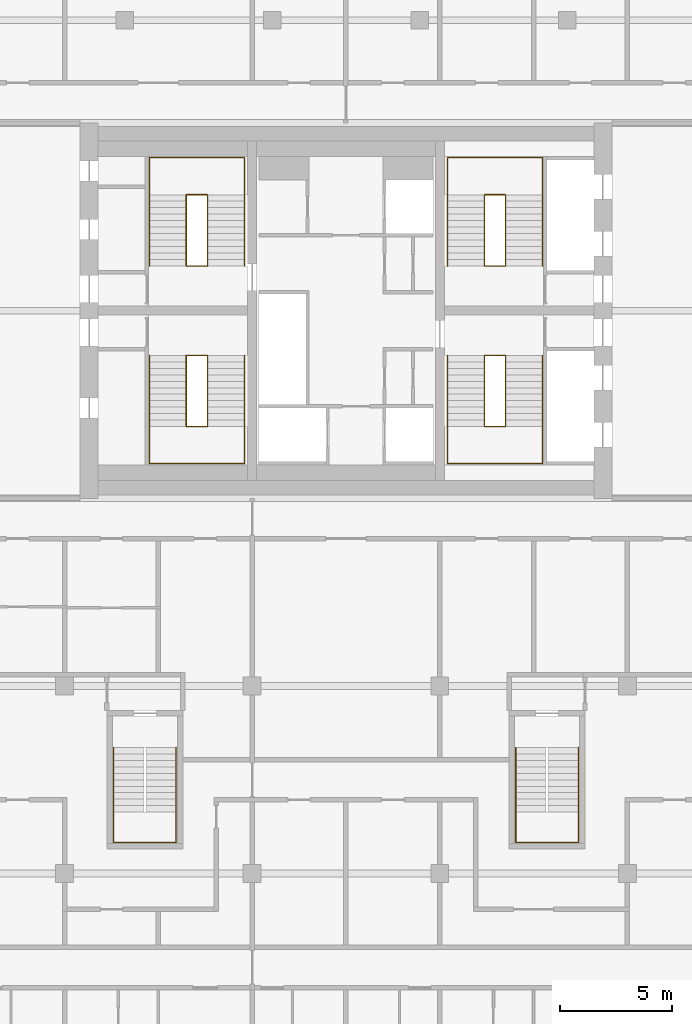
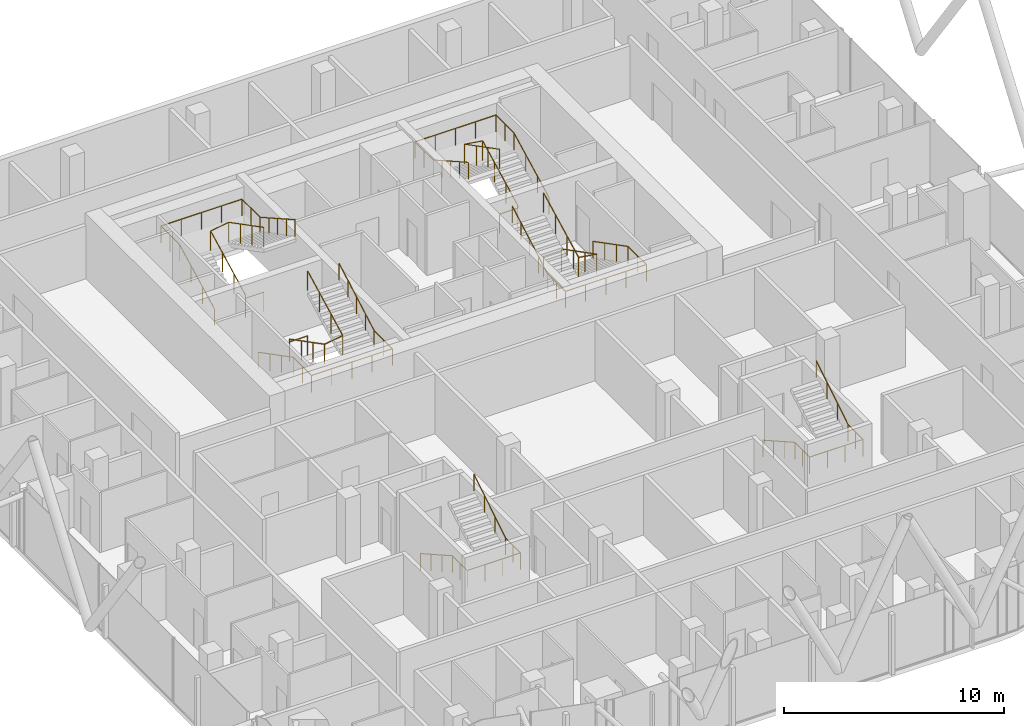
# One storey, part 31 of 31: 10 railings.
"""IFC4 building model written with IfcOpenShell, lengths in metres."""

from ifc_helpers import new_model, si_unit, direction, frame, origin, origin_2d, place, context, subcontext, project, spatial, circle, extrude, material, type_object, element, save


model = new_model("IFC4")

# Units and contexts
model_context = context("Model", 3, precision=1e-05, world=origin(), true_north=direction((0.0, 1.0)))
body_context = subcontext(model_context, "Body", "Model", "MODEL_VIEW")
ifc_project = project(units=[si_unit("LENGTHUNIT", "METRE"), si_unit("AREAUNIT", "SQUARE_METRE"), si_unit("VOLUMEUNIT", "CUBIC_METRE"), si_unit("PLANEANGLEUNIT", "RADIAN"), si_unit("MASSUNIT", "GRAM", prefix="KILO")], contexts=[model_context])

# Site, building, storey
site_placement = place(None, origin())
site = spatial("IfcSite", under=ifc_project, at=site_placement, CompositionType="ELEMENT")
building_placement = place(site_placement, origin())
building = spatial("IfcBuilding", under=site, at=building_placement, Name="Marenta Gate Hotel Tower", CompositionType="ELEMENT")
storey_placement = place(building_placement, frame((0.0, 0.0, 234.5)))
storey = spatial("IfcBuildingStorey", under=building, at=storey_placement, Name="L55", CompositionType="ELEMENT", Elevation=234.5)

# Railings
ifc_material_1 = material(Name="Stainless steel", Category="steel")
railing_type_1 = type_object("IfcRailingType", Name="Core stair handrail 950", PredefinedType="HANDRAIL", material=ifc_material_1)
railing_1_placement = place(storey_placement, frame((-8.800048828125, 6.39990234375, 0.14990234375)))
element("IfcRailing", 1, at=railing_1_placement, inside=storey, type_object=railing_type_1, Name="HR-950 L55-KR-ST1-1", PredefinedType="HANDRAIL", context=body_context, shape_type="SweptSolid", body=[
    extrude(circle(Radius=0.02392578125, at=origin_2d()), frame((0.0, 0.0, 0.92578125), z_axis=(0.0, -0.888197555067, 0.459461753765), x_axis=(1.0, 0.0, 0.0)), (0.0, 0.0, 1.0), 3.591552734375),
    extrude(circle(Radius=0.02392578125, at=origin_2d()), frame((0.0, -3.18994140625, 2.576171875), z_axis=(0.0, -1.0, 0.0), x_axis=(1.0, 0.0, 0.0)), (0.0, 0.0, 1.0), 1.659912109375),
    extrude(circle(Radius=0.02392578125, at=origin_2d()), frame((0.0, -4.849853515625, 2.576171875), z_axis=(1.0, 0.0, 0.0), x_axis=(0.0, 1.0, 0.0)), (0.0, 0.0, 1.0), 4.25),
    extrude(circle(Radius=0.02392578125, at=origin_2d()), frame((4.25, -4.849853515625, 2.576171875), z_axis=(0.0, 1.0, 0.0), x_axis=(-1.0, 0.0, 0.0)), (0.0, 0.0, 1.0), 1.659912109375),
    extrude(circle(Radius=0.02392578125, at=origin_2d()), frame((4.25, -3.18994140625, 2.576171875), z_axis=(0.0, 0.87090897868, 0.491444351738), x_axis=(-1.0, 0.0, 0.0)), (0.0, 0.0, 1.0), 3.662841796875),
    extrude(circle(Radius=0.02099609375, at=origin_2d()), origin(), (0.0, 0.0, 1.0), 0.90185546875),
    extrude(circle(Radius=0.02099609375, at=origin_2d()), frame((0.0, -1.063232421875, 0.550048828125)), (0.0, 0.0, 1.0), 0.90185546875),
    extrude(circle(Radius=0.02099609375, at=origin_2d()), frame((0.0, -2.126708984375, 1.10009765625)), (0.0, 0.0, 1.0), 0.90185546875),
    extrude(circle(Radius=0.02099609375, at=origin_2d()), frame((0.0, -3.18994140625, 1.650146484375)), (0.0, 0.0, 1.0), 0.90185546875),
    extrude(circle(Radius=0.02099609375, at=origin_2d()), frame((0.0, -4.02001953125, 1.650146484375)), (0.0, 0.0, 1.0), 0.90185546875),
    extrude(circle(Radius=0.02099609375, at=origin_2d()), frame((0.0, -4.849853515625, 1.650146484375)), (0.0, 0.0, 1.0), 0.90185546875),
    extrude(circle(Radius=0.02099609375, at=origin_2d()), frame((1.0625, -4.849853515625, 1.650146484375)), (0.0, 0.0, 1.0), 0.90185546875),
    extrude(circle(Radius=0.02099609375, at=origin_2d()), frame((2.125, -4.849853515625, 1.650146484375)), (0.0, 0.0, 1.0), 0.90185546875),
    extrude(circle(Radius=0.02099609375, at=origin_2d()), frame((3.1875, -4.849853515625, 1.650146484375)), (0.0, 0.0, 1.0), 0.90185546875),
    extrude(circle(Radius=0.02099609375, at=origin_2d()), frame((4.25, -4.849853515625, 1.650146484375)), (0.0, 0.0, 1.0), 0.90185546875),
    extrude(circle(Radius=0.02099609375, at=origin_2d()), frame((4.25, -4.02001953125, 1.650146484375)), (0.0, 0.0, 1.0), 0.90185546875),
    extrude(circle(Radius=0.02099609375, at=origin_2d()), frame((4.25, -3.18994140625, 1.650146484375)), (0.0, 0.0, 1.0), 0.90185546875),
    extrude(circle(Radius=0.02099609375, at=origin_2d()), frame((4.25, -2.392578125, 2.10009765625)), (0.0, 0.0, 1.0), 0.90185546875),
    extrude(circle(Radius=0.02099609375, at=origin_2d()), frame((4.25, -1.594970703125, 2.55029296875)), (0.0, 0.0, 1.0), 0.90185546875),
    extrude(circle(Radius=0.02099609375, at=origin_2d()), frame((4.25, -0.79736328125, 3.000244140625)), (0.0, 0.0, 1.0), 0.90185546875),
    extrude(circle(Radius=0.02099609375, at=origin_2d()), frame((4.25, 0.0, 3.4501953125)), (0.0, 0.0, 1.0), 0.90185546875),
])
railing_2_placement = place(storey_placement, frame((-8.800048828125, 10.39990234375, 0.14990234375)))
element("IfcRailing", 2, at=railing_2_placement, inside=storey, type_object=railing_type_1, Name="HR-950 L55-KR-ST2-1", PredefinedType="HANDRAIL", context=body_context, shape_type="SweptSolid", body=[
    extrude(circle(Radius=0.02392578125, at=origin_2d()), frame((0.0, 0.0, 0.92578125), z_axis=(0.0, 0.888211904222, 0.459434013977), x_axis=(-1.0, 0.0, 0.0)), (0.0, 0.0, 1.0), 3.591796875),
    extrude(circle(Radius=0.02392578125, at=origin_2d()), frame((0.0, 3.190185546875, 2.576171875), z_axis=(0.0, 1.0, 0.0), x_axis=(-1.0, 0.0, 0.0)), (0.0, 0.0, 1.0), 1.659912109375),
    extrude(circle(Radius=0.02392578125, at=origin_2d()), frame((0.0, 4.85009765625, 2.576171875), z_axis=(1.0, 0.0, 0.0), x_axis=(0.0, 1.0, 0.0)), (0.0, 0.0, 1.0), 4.25),
    extrude(circle(Radius=0.02392578125, at=origin_2d()), frame((4.25, 4.85009765625, 2.576171875), z_axis=(0.0, -1.0, 0.0), x_axis=(1.0, 0.0, 0.0)), (0.0, 0.0, 1.0), 1.659912109375),
    extrude(circle(Radius=0.02392578125, at=origin_2d()), frame((4.25, 3.190185546875, 2.576171875), z_axis=(0.0, -0.870925075533, 0.491415824742), x_axis=(1.0, 0.0, 0.0)), (0.0, 0.0, 1.0), 3.6630859375),
    extrude(circle(Radius=0.02099609375, at=origin_2d()), origin(), (0.0, 0.0, 1.0), 0.90185546875),
    extrude(circle(Radius=0.02099609375, at=origin_2d()), frame((0.0, 1.0634765625, 0.550048828125)), (0.0, 0.0, 1.0), 0.90185546875),
    extrude(circle(Radius=0.02099609375, at=origin_2d()), frame((0.0, 2.126708984375, 1.10009765625)), (0.0, 0.0, 1.0), 0.90185546875),
    extrude(circle(Radius=0.02099609375, at=origin_2d()), frame((0.0, 3.190185546875, 1.650146484375)), (0.0, 0.0, 1.0), 0.90185546875),
    extrude(circle(Radius=0.02099609375, at=origin_2d()), frame((0.0, 4.02001953125, 1.650146484375)), (0.0, 0.0, 1.0), 0.90185546875),
    extrude(circle(Radius=0.02099609375, at=origin_2d()), frame((0.0, 4.85009765625, 1.650146484375)), (0.0, 0.0, 1.0), 0.90185546875),
    extrude(circle(Radius=0.02099609375, at=origin_2d()), frame((1.0625, 4.85009765625, 1.650146484375)), (0.0, 0.0, 1.0), 0.90185546875),
    extrude(circle(Radius=0.02099609375, at=origin_2d()), frame((2.125, 4.85009765625, 1.650146484375)), (0.0, 0.0, 1.0), 0.90185546875),
    extrude(circle(Radius=0.02099609375, at=origin_2d()), frame((3.1875, 4.85009765625, 1.650146484375)), (0.0, 0.0, 1.0), 0.90185546875),
    extrude(circle(Radius=0.02099609375, at=origin_2d()), frame((4.25, 4.85009765625, 1.650146484375)), (0.0, 0.0, 1.0), 0.90185546875),
    extrude(circle(Radius=0.02099609375, at=origin_2d()), frame((4.25, 4.02001953125, 1.650146484375)), (0.0, 0.0, 1.0), 0.90185546875),
    extrude(circle(Radius=0.02099609375, at=origin_2d()), frame((4.25, 3.190185546875, 1.650146484375)), (0.0, 0.0, 1.0), 0.90185546875),
    extrude(circle(Radius=0.02099609375, at=origin_2d()), frame((4.25, 2.392578125, 2.10009765625)), (0.0, 0.0, 1.0), 0.90185546875),
    extrude(circle(Radius=0.02099609375, at=origin_2d()), frame((4.25, 1.59521484375, 2.55029296875)), (0.0, 0.0, 1.0), 0.90185546875),
    extrude(circle(Radius=0.02099609375, at=origin_2d()), frame((4.25, 0.797607421875, 3.000244140625)), (0.0, 0.0, 1.0), 0.90185546875),
    extrude(circle(Radius=0.02099609375, at=origin_2d()), frame((4.25, 0.0, 3.4501953125)), (0.0, 0.0, 1.0), 0.90185546875),
])
railing_3_placement = place(storey_placement, frame((8.800048828125, 6.39990234375, 0.14990234375)))
element("IfcRailing", 3, at=railing_3_placement, inside=storey, type_object=railing_type_1, Name="HR-950 L55-KR-ST3-1", PredefinedType="HANDRAIL", context=body_context, shape_type="SweptSolid", body=[
    extrude(circle(Radius=0.02392578125, at=origin_2d()), frame((0.0, 0.0, 0.92578125), z_axis=(0.0, -0.888197555067, 0.459461753765), x_axis=(1.0, 0.0, 0.0)), (0.0, 0.0, 1.0), 3.591552734375),
    extrude(circle(Radius=0.02392578125, at=origin_2d()), frame((0.0, -3.18994140625, 2.576171875), z_axis=(0.0, -1.0, 0.0), x_axis=(1.0, 0.0, 0.0)), (0.0, 0.0, 1.0), 1.659912109375),
    extrude(circle(Radius=0.02392578125, at=origin_2d()), frame((0.0, -4.849853515625, 2.576171875), z_axis=(-1.0, 0.0, 0.0), x_axis=(0.0, -1.0, 0.0)), (0.0, 0.0, 1.0), 4.25),
    extrude(circle(Radius=0.02392578125, at=origin_2d()), frame((-4.25, -4.849853515625, 2.576171875), z_axis=(0.0, 1.0, 0.0), x_axis=(-1.0, 0.0, 0.0)), (0.0, 0.0, 1.0), 1.659912109375),
    extrude(circle(Radius=0.02392578125, at=origin_2d()), frame((-4.25, -3.18994140625, 2.576171875), z_axis=(0.0, 0.87090897868, 0.491444351738), x_axis=(-1.0, 0.0, 0.0)), (0.0, 0.0, 1.0), 3.662841796875),
    extrude(circle(Radius=0.02099609375, at=origin_2d()), origin(), (0.0, 0.0, 1.0), 0.90185546875),
    extrude(circle(Radius=0.02099609375, at=origin_2d()), frame((0.0, -1.063232421875, 0.550048828125)), (0.0, 0.0, 1.0), 0.90185546875),
    extrude(circle(Radius=0.02099609375, at=origin_2d()), frame((0.0, -2.126708984375, 1.10009765625)), (0.0, 0.0, 1.0), 0.90185546875),
    extrude(circle(Radius=0.02099609375, at=origin_2d()), frame((0.0, -3.18994140625, 1.650146484375)), (0.0, 0.0, 1.0), 0.90185546875),
    extrude(circle(Radius=0.02099609375, at=origin_2d()), frame((0.0, -4.02001953125, 1.650146484375)), (0.0, 0.0, 1.0), 0.90185546875),
    extrude(circle(Radius=0.02099609375, at=origin_2d()), frame((0.0, -4.849853515625, 1.650146484375)), (0.0, 0.0, 1.0), 0.90185546875),
    extrude(circle(Radius=0.02099609375, at=origin_2d()), frame((-1.0625, -4.849853515625, 1.650146484375)), (0.0, 0.0, 1.0), 0.90185546875),
    extrude(circle(Radius=0.02099609375, at=origin_2d()), frame((-2.125, -4.849853515625, 1.650146484375)), (0.0, 0.0, 1.0), 0.90185546875),
    extrude(circle(Radius=0.02099609375, at=origin_2d()), frame((-3.1875, -4.849853515625, 1.650146484375)), (0.0, 0.0, 1.0), 0.90185546875),
    extrude(circle(Radius=0.02099609375, at=origin_2d()), frame((-4.25, -4.849853515625, 1.650146484375)), (0.0, 0.0, 1.0), 0.90185546875),
    extrude(circle(Radius=0.02099609375, at=origin_2d()), frame((-4.25, -4.02001953125, 1.650146484375)), (0.0, 0.0, 1.0), 0.90185546875),
    extrude(circle(Radius=0.02099609375, at=origin_2d()), frame((-4.25, -3.18994140625, 1.650146484375)), (0.0, 0.0, 1.0), 0.90185546875),
    extrude(circle(Radius=0.02099609375, at=origin_2d()), frame((-4.25, -2.392578125, 2.10009765625)), (0.0, 0.0, 1.0), 0.90185546875),
    extrude(circle(Radius=0.02099609375, at=origin_2d()), frame((-4.25, -1.594970703125, 2.55029296875)), (0.0, 0.0, 1.0), 0.90185546875),
    extrude(circle(Radius=0.02099609375, at=origin_2d()), frame((-4.25, -0.79736328125, 3.000244140625)), (0.0, 0.0, 1.0), 0.90185546875),
    extrude(circle(Radius=0.02099609375, at=origin_2d()), frame((-4.25, 0.0, 3.4501953125)), (0.0, 0.0, 1.0), 0.90185546875),
])
railing_4_placement = place(storey_placement, frame((8.800048828125, 10.39990234375, 0.14990234375)))
element("IfcRailing", 4, at=railing_4_placement, inside=storey, type_object=railing_type_1, Name="HR-950 L55-KR-ST4-1", PredefinedType="HANDRAIL", context=body_context, shape_type="SweptSolid", body=[
    extrude(circle(Radius=0.02392578125, at=origin_2d()), frame((0.0, 0.0, 0.92578125), z_axis=(0.0, 0.888211904222, 0.459434013977), x_axis=(-1.0, 0.0, 0.0)), (0.0, 0.0, 1.0), 3.591796875),
    extrude(circle(Radius=0.02392578125, at=origin_2d()), frame((0.0, 3.190185546875, 2.576171875), z_axis=(0.0, 1.0, 0.0), x_axis=(-1.0, 0.0, 0.0)), (0.0, 0.0, 1.0), 1.659912109375),
    extrude(circle(Radius=0.02392578125, at=origin_2d()), frame((0.0, 4.85009765625, 2.576171875), z_axis=(-1.0, 0.0, 0.0), x_axis=(0.0, -1.0, 0.0)), (0.0, 0.0, 1.0), 4.25),
    extrude(circle(Radius=0.02392578125, at=origin_2d()), frame((-4.25, 4.85009765625, 2.576171875), z_axis=(0.0, -1.0, 0.0), x_axis=(1.0, 0.0, 0.0)), (0.0, 0.0, 1.0), 1.659912109375),
    extrude(circle(Radius=0.02392578125, at=origin_2d()), frame((-4.25, 3.190185546875, 2.576171875), z_axis=(0.0, -0.870925075533, 0.491415824742), x_axis=(1.0, 0.0, 0.0)), (0.0, 0.0, 1.0), 3.6630859375),
    extrude(circle(Radius=0.02099609375, at=origin_2d()), origin(), (0.0, 0.0, 1.0), 0.90185546875),
    extrude(circle(Radius=0.02099609375, at=origin_2d()), frame((0.0, 1.0634765625, 0.550048828125)), (0.0, 0.0, 1.0), 0.90185546875),
    extrude(circle(Radius=0.02099609375, at=origin_2d()), frame((0.0, 2.126708984375, 1.10009765625)), (0.0, 0.0, 1.0), 0.90185546875),
    extrude(circle(Radius=0.02099609375, at=origin_2d()), frame((0.0, 3.190185546875, 1.650146484375)), (0.0, 0.0, 1.0), 0.90185546875),
    extrude(circle(Radius=0.02099609375, at=origin_2d()), frame((0.0, 4.02001953125, 1.650146484375)), (0.0, 0.0, 1.0), 0.90185546875),
    extrude(circle(Radius=0.02099609375, at=origin_2d()), frame((0.0, 4.85009765625, 1.650146484375)), (0.0, 0.0, 1.0), 0.90185546875),
    extrude(circle(Radius=0.02099609375, at=origin_2d()), frame((-1.0625, 4.85009765625, 1.650146484375)), (0.0, 0.0, 1.0), 0.90185546875),
    extrude(circle(Radius=0.02099609375, at=origin_2d()), frame((-2.125, 4.85009765625, 1.650146484375)), (0.0, 0.0, 1.0), 0.90185546875),
    extrude(circle(Radius=0.02099609375, at=origin_2d()), frame((-3.1875, 4.85009765625, 1.650146484375)), (0.0, 0.0, 1.0), 0.90185546875),
    extrude(circle(Radius=0.02099609375, at=origin_2d()), frame((-4.25, 4.85009765625, 1.650146484375)), (0.0, 0.0, 1.0), 0.90185546875),
    extrude(circle(Radius=0.02099609375, at=origin_2d()), frame((-4.25, 4.02001953125, 1.650146484375)), (0.0, 0.0, 1.0), 0.90185546875),
    extrude(circle(Radius=0.02099609375, at=origin_2d()), frame((-4.25, 3.190185546875, 1.650146484375)), (0.0, 0.0, 1.0), 0.90185546875),
    extrude(circle(Radius=0.02099609375, at=origin_2d()), frame((-4.25, 2.392578125, 2.10009765625)), (0.0, 0.0, 1.0), 0.90185546875),
    extrude(circle(Radius=0.02099609375, at=origin_2d()), frame((-4.25, 1.59521484375, 2.55029296875)), (0.0, 0.0, 1.0), 0.90185546875),
    extrude(circle(Radius=0.02099609375, at=origin_2d()), frame((-4.25, 0.797607421875, 3.000244140625)), (0.0, 0.0, 1.0), 0.90185546875),
    extrude(circle(Radius=0.02099609375, at=origin_2d()), frame((-4.25, 0.0, 3.4501953125)), (0.0, 0.0, 1.0), 0.90185546875),
])
railing_5_placement = place(storey_placement, frame((-10.39990234375, -11.14990234375, 0.16357421875)))
element("IfcRailing", 5, at=railing_5_placement, inside=storey, type_object=railing_type_1, Name="HR-950 L55-RS-Z3-1-KR-1", PredefinedType="HANDRAIL", context=body_context, shape_type="SweptSolid", body=[
    extrude(circle(Radius=0.02392578125, at=origin_2d()), frame((0.0, 0.0, 0.92578125), z_axis=(0.0, -0.870914908162, 0.491433843708), x_axis=(1.0, 0.0, 0.0)), (0.0, 0.0, 1.0), 3.330078125),
    extrude(circle(Radius=0.02392578125, at=origin_2d()), frame((0.0, -2.900146484375, 2.5625), z_axis=(0.0, -1.0, 0.0), x_axis=(1.0, 0.0, 0.0)), (0.0, 0.0, 1.0), 1.349853515625),
    extrude(circle(Radius=0.02392578125, at=origin_2d()), frame((0.0, -4.25, 2.5625), z_axis=(1.0, 0.0, 0.0), x_axis=(0.0, 1.0, 0.0)), (0.0, 0.0, 1.0), 2.7998046875),
    extrude(circle(Radius=0.02392578125, at=origin_2d()), frame((2.7998046875, -4.25, 2.5625), z_axis=(0.0, 1.0, 0.0), x_axis=(-1.0, 0.0, 0.0)), (0.0, 0.0, 1.0), 1.349853515625),
    extrude(circle(Radius=0.02392578125, at=origin_2d()), frame((2.7998046875, -2.900146484375, 2.5625), z_axis=(0.0, 0.849645691689, 0.527353959494), x_axis=(-1.0, 0.0, 0.0)), (0.0, 0.0, 1.0), 3.413330078125),
    extrude(circle(Radius=0.02099609375, at=origin_2d()), origin(), (0.0, 0.0, 1.0), 0.90185546875),
    extrude(circle(Radius=0.02099609375, at=origin_2d()), frame((0.0, -0.966796875, 0.54541015625)), (0.0, 0.0, 1.0), 0.90185546875),
    extrude(circle(Radius=0.02099609375, at=origin_2d()), frame((0.0, -1.933349609375, 1.091064453125)), (0.0, 0.0, 1.0), 0.90185546875),
    extrude(circle(Radius=0.02099609375, at=origin_2d()), frame((0.0, -2.900146484375, 1.636474609375)), (0.0, 0.0, 1.0), 0.90185546875),
    extrude(circle(Radius=0.02099609375, at=origin_2d()), frame((0.0, -3.5751953125, 1.636474609375)), (0.0, 0.0, 1.0), 0.90185546875),
    extrude(circle(Radius=0.02099609375, at=origin_2d()), frame((0.0, -4.25, 1.636474609375)), (0.0, 0.0, 1.0), 0.90185546875),
    extrude(circle(Radius=0.02099609375, at=origin_2d()), frame((0.933349609375, -4.25, 1.636474609375)), (0.0, 0.0, 1.0), 0.90185546875),
    extrude(circle(Radius=0.02099609375, at=origin_2d()), frame((1.866455078125, -4.25, 1.636474609375)), (0.0, 0.0, 1.0), 0.90185546875),
    extrude(circle(Radius=0.02099609375, at=origin_2d()), frame((2.7998046875, -4.25, 1.636474609375)), (0.0, 0.0, 1.0), 0.90185546875),
    extrude(circle(Radius=0.02099609375, at=origin_2d()), frame((2.7998046875, -3.5751953125, 1.636474609375)), (0.0, 0.0, 1.0), 0.90185546875),
    extrude(circle(Radius=0.02099609375, at=origin_2d()), frame((2.7998046875, -2.900146484375, 1.636474609375)), (0.0, 0.0, 1.0), 0.90185546875),
    extrude(circle(Radius=0.02099609375, at=origin_2d()), frame((2.7998046875, -1.933349609375, 2.236572265625)), (0.0, 0.0, 1.0), 0.90185546875),
    extrude(circle(Radius=0.02099609375, at=origin_2d()), frame((2.7998046875, -0.966796875, 2.83642578125)), (0.0, 0.0, 1.0), 0.90185546875),
    extrude(circle(Radius=0.02099609375, at=origin_2d()), frame((2.7998046875, 0.0, 3.4365234375)), (0.0, 0.0, 1.0), 0.90185546875),
])
railing_6_placement = place(storey_placement, frame((7.60009765625, -11.14990234375, 0.16357421875)))
element("IfcRailing", 6, at=railing_6_placement, inside=storey, type_object=railing_type_1, Name="HR-950 L55-RS-Z3-2-KR-1", PredefinedType="HANDRAIL", context=body_context, shape_type="SweptSolid", body=[
    extrude(circle(Radius=0.02392578125, at=origin_2d()), frame((0.0, 0.0, 0.92578125), z_axis=(0.0, -0.870914908162, 0.491433843708), x_axis=(1.0, 0.0, 0.0)), (0.0, 0.0, 1.0), 3.330078125),
    extrude(circle(Radius=0.02392578125, at=origin_2d()), frame((0.0, -2.900146484375, 2.5625), z_axis=(0.0, -1.0, 0.0), x_axis=(1.0, 0.0, 0.0)), (0.0, 0.0, 1.0), 1.349853515625),
    extrude(circle(Radius=0.02392578125, at=origin_2d()), frame((0.0, -4.25, 2.5625), z_axis=(1.0, 0.0, 0.0), x_axis=(0.0, 1.0, 0.0)), (0.0, 0.0, 1.0), 2.7998046875),
    extrude(circle(Radius=0.02392578125, at=origin_2d()), frame((2.7998046875, -4.25, 2.5625), z_axis=(0.0, 1.0, 0.0), x_axis=(-1.0, 0.0, 0.0)), (0.0, 0.0, 1.0), 1.349853515625),
    extrude(circle(Radius=0.02392578125, at=origin_2d()), frame((2.7998046875, -2.900146484375, 2.5625), z_axis=(0.0, 0.849645691689, 0.527353959494), x_axis=(-1.0, 0.0, 0.0)), (0.0, 0.0, 1.0), 3.413330078125),
    extrude(circle(Radius=0.02099609375, at=origin_2d()), origin(), (0.0, 0.0, 1.0), 0.90185546875),
    extrude(circle(Radius=0.02099609375, at=origin_2d()), frame((0.0, -0.966796875, 0.54541015625)), (0.0, 0.0, 1.0), 0.90185546875),
    extrude(circle(Radius=0.02099609375, at=origin_2d()), frame((0.0, -1.933349609375, 1.091064453125)), (0.0, 0.0, 1.0), 0.90185546875),
    extrude(circle(Radius=0.02099609375, at=origin_2d()), frame((0.0, -2.900146484375, 1.636474609375)), (0.0, 0.0, 1.0), 0.90185546875),
    extrude(circle(Radius=0.02099609375, at=origin_2d()), frame((0.0, -3.5751953125, 1.636474609375)), (0.0, 0.0, 1.0), 0.90185546875),
    extrude(circle(Radius=0.02099609375, at=origin_2d()), frame((0.0, -4.25, 1.636474609375)), (0.0, 0.0, 1.0), 0.90185546875),
    extrude(circle(Radius=0.02099609375, at=origin_2d()), frame((0.933349609375, -4.25, 1.636474609375)), (0.0, 0.0, 1.0), 0.90185546875),
    extrude(circle(Radius=0.02099609375, at=origin_2d()), frame((1.866455078125, -4.25, 1.636474609375)), (0.0, 0.0, 1.0), 0.90185546875),
    extrude(circle(Radius=0.02099609375, at=origin_2d()), frame((2.7998046875, -4.25, 1.636474609375)), (0.0, 0.0, 1.0), 0.90185546875),
    extrude(circle(Radius=0.02099609375, at=origin_2d()), frame((2.7998046875, -3.5751953125, 1.636474609375)), (0.0, 0.0, 1.0), 0.90185546875),
    extrude(circle(Radius=0.02099609375, at=origin_2d()), frame((2.7998046875, -2.900146484375, 1.636474609375)), (0.0, 0.0, 1.0), 0.90185546875),
    extrude(circle(Radius=0.02099609375, at=origin_2d()), frame((2.7998046875, -1.933349609375, 2.236572265625)), (0.0, 0.0, 1.0), 0.90185546875),
    extrude(circle(Radius=0.02099609375, at=origin_2d()), frame((2.7998046875, -0.966796875, 2.83642578125)), (0.0, 0.0, 1.0), 0.90185546875),
    extrude(circle(Radius=0.02099609375, at=origin_2d()), frame((2.7998046875, 0.0, 3.4365234375)), (0.0, 0.0, 1.0), 0.90185546875),
])
ifc_material_2 = material(Name="Stainless steel", Category="steel")
railing_type_2 = type_object("IfcRailingType", Name="Core stair well guard 1100", PredefinedType="GUARDRAIL", material=ifc_material_2)
railing_7_placement = place(storey_placement, frame((-6.199951171875, 6.39990234375, 0.0)))
element("IfcRailing", 7, at=railing_7_placement, inside=storey, type_object=railing_type_2, Name="GR-1100 L55-KR-ST1-2", PredefinedType="GUARDRAIL", context=body_context, shape_type="SweptSolid", body=[
    extrude(circle(Radius=0.02392578125, at=origin_2d()), frame((0.0, 0.0, 1.076171875), z_axis=(-1.0, 0.0, 0.0), x_axis=(0.0, -1.0, 0.0)), (0.0, 0.0, 1.0), 0.949951171875),
    extrude(circle(Radius=0.02392578125, at=origin_2d()), frame((-0.949951171875, 0.0, 1.076171875), z_axis=(0.0, 0.0, 1.0), x_axis=(1.0, 0.0, 0.0)), (0.0, 0.0, 1.0), 0.14990234375),
    extrude(circle(Radius=0.02392578125, at=origin_2d()), frame((-0.949951171875, 0.0, 1.22607421875), z_axis=(0.0, -0.888197555067, 0.459461753765), x_axis=(1.0, 0.0, 0.0)), (0.0, 0.0, 1.0), 3.591552734375),
    extrude(circle(Radius=0.02392578125, at=origin_2d()), frame((-0.949951171875, -3.18994140625, 2.8759765625), z_axis=(0.987777369502, 0.0, 0.15587131968), x_axis=(0.0, 1.0, 0.0)), (0.0, 0.0, 1.0), 0.961669921875),
    extrude(circle(Radius=0.02392578125, at=origin_2d()), frame((0.0, -3.18994140625, 3.02587890625), z_axis=(0.0, 0.888197555067, 0.459461753765), x_axis=(-1.0, 0.0, 0.0)), (0.0, 0.0, 1.0), 3.591552734375),
    extrude(circle(Radius=0.02099609375, at=origin_2d()), origin(), (0.0, 0.0, 1.0), 1.052001953125),
    extrude(circle(Radius=0.02099609375, at=origin_2d()), frame((-0.949951171875, 0.0, 0.0)), (0.0, 0.0, 1.0), 1.052001953125),
    extrude(circle(Radius=0.02099609375, at=origin_2d()), frame((-0.949951171875, 0.0, 0.14990234375)), (0.0, 0.0, 1.0), 1.052001953125),
    extrude(circle(Radius=0.02099609375, at=origin_2d()), frame((-0.949951171875, -1.063232421875, 0.699951171875)), (0.0, 0.0, 1.0), 1.052001953125),
    extrude(circle(Radius=0.02099609375, at=origin_2d()), frame((-0.949951171875, -2.126708984375, 1.25)), (0.0, 0.0, 1.0), 1.052001953125),
    extrude(circle(Radius=0.02099609375, at=origin_2d()), frame((-0.949951171875, -3.18994140625, 1.800048828125)), (0.0, 0.0, 1.0), 1.052001953125),
    extrude(circle(Radius=0.02099609375, at=origin_2d()), frame((0.0, -3.18994140625, 1.949951171875)), (0.0, 0.0, 1.0), 1.052001953125),
    extrude(circle(Radius=0.02099609375, at=origin_2d()), frame((0.0, -2.126708984375, 2.5)), (0.0, 0.0, 1.0), 1.052001953125),
    extrude(circle(Radius=0.02099609375, at=origin_2d()), frame((0.0, -1.063232421875, 3.050048828125)), (0.0, 0.0, 1.0), 1.052001953125),
    extrude(circle(Radius=0.02099609375, at=origin_2d()), frame((0.0, 0.0, 3.60009765625)), (0.0, 0.0, 1.0), 1.052001953125),
])
railing_8_placement = place(storey_placement, frame((-6.199951171875, 10.39990234375, 0.0)))
element("IfcRailing", 8, at=railing_8_placement, inside=storey, type_object=railing_type_2, Name="GR-1100 L55-KR-ST2-2", PredefinedType="GUARDRAIL", context=body_context, shape_type="SweptSolid", body=[
    extrude(circle(Radius=0.02392578125, at=origin_2d()), frame((0.0, 0.0, 1.076171875), z_axis=(-1.0, 0.0, 0.0), x_axis=(0.0, -1.0, 0.0)), (0.0, 0.0, 1.0), 0.949951171875),
    extrude(circle(Radius=0.02392578125, at=origin_2d()), frame((-0.949951171875, 0.0, 1.076171875), z_axis=(0.0, 0.0, 1.0), x_axis=(1.0, 0.0, 0.0)), (0.0, 0.0, 1.0), 0.14990234375),
    extrude(circle(Radius=0.02392578125, at=origin_2d()), frame((-0.949951171875, 0.0, 1.22607421875), z_axis=(0.0, 0.888211904222, 0.459434013977), x_axis=(-1.0, 0.0, 0.0)), (0.0, 0.0, 1.0), 3.591796875),
    extrude(circle(Radius=0.02392578125, at=origin_2d()), frame((-0.949951171875, 3.190185546875, 2.8759765625), z_axis=(0.987777369502, 0.0, 0.15587131968), x_axis=(0.0, 1.0, 0.0)), (0.0, 0.0, 1.0), 0.961669921875),
    extrude(circle(Radius=0.02392578125, at=origin_2d()), frame((0.0, 3.190185546875, 3.02587890625), z_axis=(0.0, -0.888211904222, 0.459434013977), x_axis=(1.0, 0.0, 0.0)), (0.0, 0.0, 1.0), 3.591796875),
    extrude(circle(Radius=0.02099609375, at=origin_2d()), origin(), (0.0, 0.0, 1.0), 1.052001953125),
    extrude(circle(Radius=0.02099609375, at=origin_2d()), frame((-0.949951171875, 0.0, 0.0)), (0.0, 0.0, 1.0), 1.052001953125),
    extrude(circle(Radius=0.02099609375, at=origin_2d()), frame((-0.949951171875, 0.0, 0.14990234375)), (0.0, 0.0, 1.0), 1.052001953125),
    extrude(circle(Radius=0.02099609375, at=origin_2d()), frame((-0.949951171875, 1.0634765625, 0.699951171875)), (0.0, 0.0, 1.0), 1.052001953125),
    extrude(circle(Radius=0.02099609375, at=origin_2d()), frame((-0.949951171875, 2.126708984375, 1.25)), (0.0, 0.0, 1.0), 1.052001953125),
    extrude(circle(Radius=0.02099609375, at=origin_2d()), frame((-0.949951171875, 3.190185546875, 1.800048828125)), (0.0, 0.0, 1.0), 1.052001953125),
    extrude(circle(Radius=0.02099609375, at=origin_2d()), frame((0.0, 3.190185546875, 1.949951171875)), (0.0, 0.0, 1.0), 1.052001953125),
    extrude(circle(Radius=0.02099609375, at=origin_2d()), frame((0.0, 2.126708984375, 2.5)), (0.0, 0.0, 1.0), 1.052001953125),
    extrude(circle(Radius=0.02099609375, at=origin_2d()), frame((0.0, 1.0634765625, 3.050048828125)), (0.0, 0.0, 1.0), 1.052001953125),
    extrude(circle(Radius=0.02099609375, at=origin_2d()), frame((0.0, 0.0, 3.60009765625)), (0.0, 0.0, 1.0), 1.052001953125),
])
railing_9_placement = place(storey_placement, frame((6.199951171875, 6.39990234375, 0.0)))
element("IfcRailing", 9, at=railing_9_placement, inside=storey, type_object=railing_type_2, Name="GR-1100 L55-KR-ST3-2", PredefinedType="GUARDRAIL", context=body_context, shape_type="SweptSolid", body=[
    extrude(circle(Radius=0.02392578125, at=origin_2d()), frame((0.0, 0.0, 1.076171875), z_axis=(1.0, 0.0, 0.0), x_axis=(0.0, 1.0, 0.0)), (0.0, 0.0, 1.0), 0.949951171875),
    extrude(circle(Radius=0.02392578125, at=origin_2d()), frame((0.949951171875, 0.0, 1.076171875), z_axis=(0.0, 0.0, 1.0), x_axis=(1.0, 0.0, 0.0)), (0.0, 0.0, 1.0), 0.14990234375),
    extrude(circle(Radius=0.02392578125, at=origin_2d()), frame((0.949951171875, 0.0, 1.22607421875), z_axis=(0.0, -0.888197555067, 0.459461753765), x_axis=(1.0, 0.0, 0.0)), (0.0, 0.0, 1.0), 3.591552734375),
    extrude(circle(Radius=0.02392578125, at=origin_2d()), frame((0.949951171875, -3.18994140625, 2.8759765625), z_axis=(-0.987777369502, 0.0, 0.15587131968), x_axis=(0.0, -1.0, 0.0)), (0.0, 0.0, 1.0), 0.961669921875),
    extrude(circle(Radius=0.02392578125, at=origin_2d()), frame((0.0, -3.18994140625, 3.02587890625), z_axis=(0.0, 0.888197555067, 0.459461753765), x_axis=(-1.0, 0.0, 0.0)), (0.0, 0.0, 1.0), 3.591552734375),
    extrude(circle(Radius=0.02099609375, at=origin_2d()), origin(), (0.0, 0.0, 1.0), 1.052001953125),
    extrude(circle(Radius=0.02099609375, at=origin_2d()), frame((0.949951171875, 0.0, 0.0)), (0.0, 0.0, 1.0), 1.052001953125),
    extrude(circle(Radius=0.02099609375, at=origin_2d()), frame((0.949951171875, 0.0, 0.14990234375)), (0.0, 0.0, 1.0), 1.052001953125),
    extrude(circle(Radius=0.02099609375, at=origin_2d()), frame((0.949951171875, -1.063232421875, 0.699951171875)), (0.0, 0.0, 1.0), 1.052001953125),
    extrude(circle(Radius=0.02099609375, at=origin_2d()), frame((0.949951171875, -2.126708984375, 1.25)), (0.0, 0.0, 1.0), 1.052001953125),
    extrude(circle(Radius=0.02099609375, at=origin_2d()), frame((0.949951171875, -3.18994140625, 1.800048828125)), (0.0, 0.0, 1.0), 1.052001953125),
    extrude(circle(Radius=0.02099609375, at=origin_2d()), frame((0.0, -3.18994140625, 1.949951171875)), (0.0, 0.0, 1.0), 1.052001953125),
    extrude(circle(Radius=0.02099609375, at=origin_2d()), frame((0.0, -2.126708984375, 2.5)), (0.0, 0.0, 1.0), 1.052001953125),
    extrude(circle(Radius=0.02099609375, at=origin_2d()), frame((0.0, -1.063232421875, 3.050048828125)), (0.0, 0.0, 1.0), 1.052001953125),
    extrude(circle(Radius=0.02099609375, at=origin_2d()), frame((0.0, 0.0, 3.60009765625)), (0.0, 0.0, 1.0), 1.052001953125),
])
railing_10_placement = place(storey_placement, frame((6.199951171875, 10.39990234375, 0.0)))
element("IfcRailing", 10, at=railing_10_placement, inside=storey, type_object=railing_type_2, Name="GR-1100 L55-KR-ST4-2", PredefinedType="GUARDRAIL", context=body_context, shape_type="SweptSolid", body=[
    extrude(circle(Radius=0.02392578125, at=origin_2d()), frame((0.0, 0.0, 1.076171875), z_axis=(1.0, 0.0, 0.0), x_axis=(0.0, 1.0, 0.0)), (0.0, 0.0, 1.0), 0.949951171875),
    extrude(circle(Radius=0.02392578125, at=origin_2d()), frame((0.949951171875, 0.0, 1.076171875), z_axis=(0.0, 0.0, 1.0), x_axis=(1.0, 0.0, 0.0)), (0.0, 0.0, 1.0), 0.14990234375),
    extrude(circle(Radius=0.02392578125, at=origin_2d()), frame((0.949951171875, 0.0, 1.22607421875), z_axis=(0.0, 0.888211904222, 0.459434013977), x_axis=(-1.0, 0.0, 0.0)), (0.0, 0.0, 1.0), 3.591796875),
    extrude(circle(Radius=0.02392578125, at=origin_2d()), frame((0.949951171875, 3.190185546875, 2.8759765625), z_axis=(-0.987777369502, 0.0, 0.15587131968), x_axis=(0.0, -1.0, 0.0)), (0.0, 0.0, 1.0), 0.961669921875),
    extrude(circle(Radius=0.02392578125, at=origin_2d()), frame((0.0, 3.190185546875, 3.02587890625), z_axis=(0.0, -0.888211904222, 0.459434013977), x_axis=(1.0, 0.0, 0.0)), (0.0, 0.0, 1.0), 3.591796875),
    extrude(circle(Radius=0.02099609375, at=origin_2d()), origin(), (0.0, 0.0, 1.0), 1.052001953125),
    extrude(circle(Radius=0.02099609375, at=origin_2d()), frame((0.949951171875, 0.0, 0.0)), (0.0, 0.0, 1.0), 1.052001953125),
    extrude(circle(Radius=0.02099609375, at=origin_2d()), frame((0.949951171875, 0.0, 0.14990234375)), (0.0, 0.0, 1.0), 1.052001953125),
    extrude(circle(Radius=0.02099609375, at=origin_2d()), frame((0.949951171875, 1.0634765625, 0.699951171875)), (0.0, 0.0, 1.0), 1.052001953125),
    extrude(circle(Radius=0.02099609375, at=origin_2d()), frame((0.949951171875, 2.126708984375, 1.25)), (0.0, 0.0, 1.0), 1.052001953125),
    extrude(circle(Radius=0.02099609375, at=origin_2d()), frame((0.949951171875, 3.190185546875, 1.800048828125)), (0.0, 0.0, 1.0), 1.052001953125),
    extrude(circle(Radius=0.02099609375, at=origin_2d()), frame((0.0, 3.190185546875, 1.949951171875)), (0.0, 0.0, 1.0), 1.052001953125),
    extrude(circle(Radius=0.02099609375, at=origin_2d()), frame((0.0, 2.126708984375, 2.5)), (0.0, 0.0, 1.0), 1.052001953125),
    extrude(circle(Radius=0.02099609375, at=origin_2d()), frame((0.0, 1.0634765625, 3.050048828125)), (0.0, 0.0, 1.0), 1.052001953125),
    extrude(circle(Radius=0.02099609375, at=origin_2d()), frame((0.0, 0.0, 3.60009765625)), (0.0, 0.0, 1.0), 1.052001953125),
])

save(model, "model.ifc")
